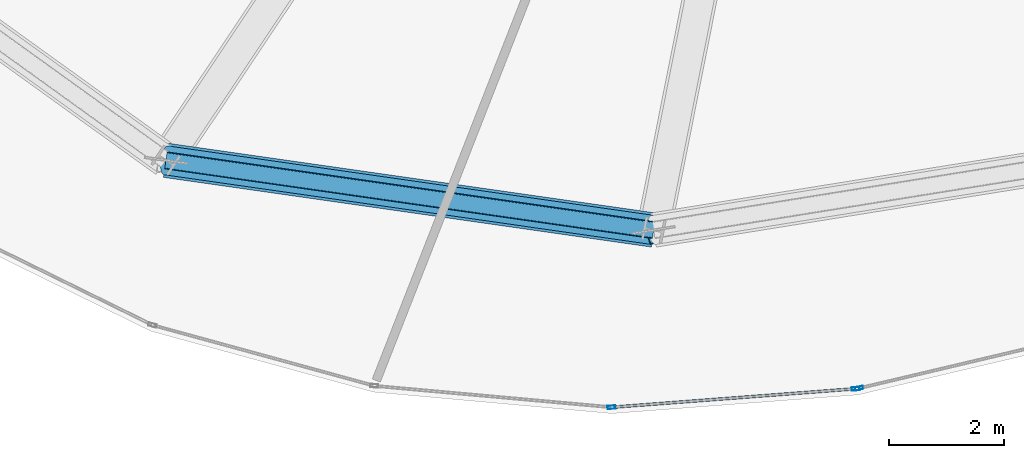
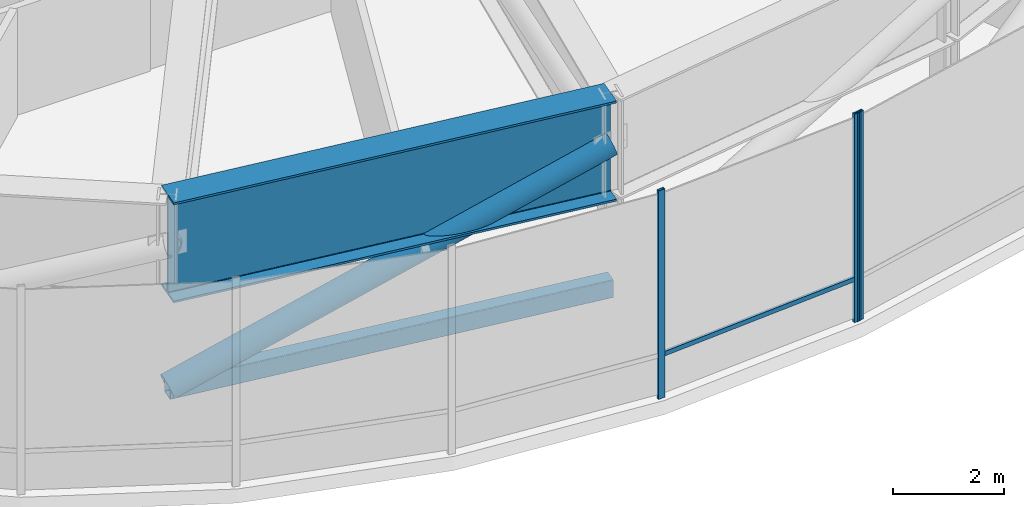
# One storey, part 6 of 30: 6 members, 1 beam, 2 elements without a shape of their own.
"""IFC4 building model written with IfcOpenShell, lengths in metres."""

from ifc_helpers import new_model, si_unit, direction, frame, origin, origin_2d, place, context, subcontext, project, spatial, hollow_rectangle, hollow_circle, i_section, extrude, source, transform, mapped, material, layer, layer_set, material_profile, profile_set, type_object, element, aggregate, save


model = new_model("IFC4")

# Units and contexts
model_context = context("Model", 3, precision=1e-05, world=origin(), true_north=direction((0.0, 1.0)))
body_context = subcontext(model_context, "Body", "Model", "MODEL_VIEW")
ifc_project = project(units=[si_unit("LENGTHUNIT", "METRE"), si_unit("AREAUNIT", "SQUARE_METRE"), si_unit("VOLUMEUNIT", "CUBIC_METRE"), si_unit("PLANEANGLEUNIT", "RADIAN"), si_unit("MASSUNIT", "GRAM", prefix="KILO"), si_unit("THERMODYNAMICTEMPERATUREUNIT", "KELVIN")], contexts=[model_context])

# Site, building, storey
site_placement = place(None, origin())
site = spatial("IfcSite", under=ifc_project, at=site_placement, CompositionType="ELEMENT")
building_placement = place(site_placement, origin())
building = spatial("IfcBuilding", under=site, at=building_placement, Name="Kethvar Cultural Tower", CompositionType="ELEMENT")
storey_placement = place(building_placement, frame((0.0, 0.0, 171.39990234375)))
storey = spatial("IfcBuildingStorey", under=building, at=storey_placement, Name="L44", CompositionType="ELEMENT", Elevation=171.39990234375)

# Beam
ifc_material_1 = material(Name="Steel S460M", Category="steel")
ifc_material_profile_1 = material_profile(ifc_material_1, i_section(OverallWidth=0.60009765625, OverallDepth=2.199951171875, WebThickness=0.028076171875, FlangeThickness=0.044921875, FilletRadius=0.02197265625, at=origin_2d()), Name="Steel S460M — PG2200x600x45x28")
ifc_profile_set_1 = profile_set([ifc_material_profile_1], Name="Steel S460M — PG2200x600x45x28")
beam_type = type_object("IfcBeamType", Name="BM-TR2200", PredefinedType="BEAM", material=ifc_profile_set_1)
shared_shape_1 = source(origin(), body_context, "Body", "SweptSolid", [
    extrude(i_section(OverallWidth=0.60009765625, OverallDepth=2.199951171875, WebThickness=0.028076171875, FlangeThickness=0.044921875, FilletRadius=0.02197265625, at=origin_2d()), origin(), (0.0, 0.0, 1.0), 8.587890625),
])
beam_placement = place(storey_placement, frame((34.350830078125, 9.16845703125, 3.47802734375), z_axis=(0.989943807123, -0.141461156288, 0.0), x_axis=(0.141461156288, 0.989943807123, 0.0)))
element("IfcBeam", 1, at=beam_placement, inside=storey, type_object=beam_type, Name="L44 Ring Belt Girder BG-11", PredefinedType="BEAM", context=body_context, shape_type="MappedRepresentation", body=[
    mapped(shared_shape_1, transform((0.0, 0.0, 0.0), scale=1.0)),
])

# Members
ifc_material_profile_2 = material_profile(ifc_material_1, hollow_rectangle(XDim=0.300048828125, YDim=0.39990234375, WallThickness=0.01611328125, InnerFilletRadius=0.01611328125, OuterFilletRadius=0.031982421875, at=origin_2d()), Name="Steel S460M — RHS400x300x16")
ifc_profile_set_2 = profile_set([ifc_material_profile_2], Name="Steel S460M — RHS400x300x16")
member_type_1 = type_object("IfcMemberType", Name="MB-CHD-400", PredefinedType="CHORD", material=ifc_profile_set_2)
shared_shape_2 = source(origin(), body_context, "Body", "SweptSolid", [
    extrude(hollow_rectangle(XDim=0.300048828125, YDim=0.39990234375, WallThickness=0.01611328125, InnerFilletRadius=0.01611328125, OuterFilletRadius=0.031982421875, at=origin_2d()), origin(), (0.0, 0.0, 1.0), 8.587890625),
])
member_1_placement = place(storey_placement, frame((34.350830078125, 9.16845703125, 0.35009765625), z_axis=(0.989943807123, -0.141461156288, 0.0), x_axis=(0.141461156288, 0.989943807123, 0.0)))
element("IfcMember", 2, at=member_1_placement, inside=storey, type_object=member_type_1, Name="L44 Ring Belt Bottom Chord BC-11", PredefinedType="CHORD", context=body_context, shape_type="MappedRepresentation", body=[
    mapped(shared_shape_2, transform((0.0, 0.0, 0.0), scale=1.0)),
])
ifc_material_profile_3 = material_profile(ifc_material_1, hollow_circle(Radius=0.25390625, WallThickness=0.02001953125, at=origin_2d()), Name="Steel S460M — CHS508x20")
ifc_profile_set_3 = profile_set([ifc_material_profile_3], Name="Steel S460M — CHS508x20")
member_type_2 = type_object("IfcMemberType", Name="MB-OUT-508", PredefinedType="BRACE", material=ifc_profile_set_3)
shared_shape_3 = source(origin(), body_context, "Body", "SweptSolid", [
    extrude(hollow_circle(Radius=0.25390625, WallThickness=0.02001953125, at=origin_2d()), origin(), (0.0, 0.0, 1.0), 9.1396484375),
])
member_2_placement = place(storey_placement, frame((34.350830078125, 9.16845703125, 0.35009765625), z_axis=(0.930165698928, -0.13291897415, 0.342234304022), x_axis=(0.141461156288, 0.989943807123, 0.0)))
element("IfcMember", 3, at=member_2_placement, inside=storey, type_object=member_type_2, Name="L44 Ring Belt Diagonal BD-11", PredefinedType="BRACE", context=body_context, shape_type="MappedRepresentation", body=[
    mapped(shared_shape_3, transform((0.0, 0.0, 0.0), scale=1.0)),
])

# Curtain wall, members
ifc_material_2 = material(Name="Aluminium 6063-T6", Category="aluminium")
ifc_layer = layer(ifc_material_2, 0.179931640625, Name="Aluminium 6063-T6", Category="aluminium")
ifc_layer_set = layer_set([ifc_layer], Name="Aluminium 6063-T6 (180 mm)")
curtain_wall_type = type_object("IfcCurtainWallType", Name="CW-SYS-04-Z34", PredefinedType="NOTDEFINED", material=ifc_layer_set)
curtain_wall_1_placement = place(storey_placement, origin())
curtain_wall_1 = element("IfcCurtainWall", 4, at=curtain_wall_1_placement, inside=storey, type_object=curtain_wall_type, Name="L44 Curtain Wall Run 04", PredefinedType="NOTDEFINED")
ifc_material_profile_4 = material_profile(ifc_material_2, hollow_rectangle(XDim=0.06005859375, YDim=0.139892578125, WallThickness=0.0048828125, at=origin_2d()), Name="Aluminium 6063-T6 — RHS140x60x5")
ifc_profile_set_4 = profile_set([ifc_material_profile_4], Name="Aluminium 6063-T6 — RHS140x60x5")
member_type_3 = type_object("IfcMemberType", Name="CW-SYS-04-Z34-MUL", PredefinedType="MULLION", material=ifc_profile_set_4)
shared_shape_4 = source(origin(), body_context, "Body", "SweptSolid", [
    extrude(hollow_rectangle(XDim=0.06005859375, YDim=0.139892578125, WallThickness=0.0048828125, at=origin_2d()), origin(), (0.0, 0.0, 1.0), 4.580078125),
])
member_3_placement = place(storey_placement, frame((42.11669921875, 4.8642578125, 0.0), z_axis=(0.0, 0.0, 1.0), x_axis=(-0.075744487851, 0.997127259962, 0.0)))
member_3 = element("IfcMember", 5, at=member_3_placement, type_object=member_type_3, Name="CW-L44-R04 Mullion 6", PredefinedType="MULLION", context=body_context, shape_type="MappedRepresentation", body=[
    mapped(shared_shape_4, transform((0.0, 0.0, 0.0), scale=1.0)),
])
member_4_placement = place(storey_placement, frame((46.37353515625, 5.1875, 0.0), z_axis=(0.0, 0.0, 1.0), x_axis=(-0.075744487851, 0.997127259962, 0.0)))
member_4 = element("IfcMember", 6, at=member_4_placement, type_object=member_type_3, Name="CW-L44-R04 Mullion 7", PredefinedType="MULLION", context=body_context, shape_type="MappedRepresentation", body=[
    mapped(shared_shape_4, transform((0.0, 0.0, 0.0), scale=1.0)),
])

# Curtain wall, member
curtain_wall_2_placement = place(storey_placement, origin())
curtain_wall_2 = element("IfcCurtainWall", 7, at=curtain_wall_2_placement, inside=storey, type_object=curtain_wall_type, Name="L44 Curtain Wall Run 05", PredefinedType="NOTDEFINED")
member_5_placement = place(storey_placement, frame((46.43359375, 5.19677734375, 0.0), z_axis=(0.0, 0.0, 1.0), x_axis=(-0.229710019669, 0.973259115993, 0.0)))
member_5 = element("IfcMember", 8, at=member_5_placement, type_object=member_type_3, Name="CW-L44-R05 Mullion 1", PredefinedType="MULLION", context=body_context, shape_type="MappedRepresentation", body=[
    mapped(shared_shape_4, transform((0.0, 0.0, 0.0), scale=1.0)),
])
aggregate(curtain_wall_2, [member_5])

# Member
ifc_material_profile_5 = material_profile(ifc_material_2, hollow_rectangle(XDim=0.050048828125, YDim=0.10009765625, WallThickness=0.00390625, at=origin_2d()), Name="Aluminium 6063-T6 — RHS100x50x4")
ifc_profile_set_5 = profile_set([ifc_material_profile_5], Name="Aluminium 6063-T6 — RHS100x50x4")
member_type_4 = type_object("IfcMemberType", Name="CW-SYS-04-Z34-TRN", PredefinedType="USERDEFINED", material=ifc_profile_set_5)
shared_shape_5 = source(origin(), body_context, "Body", "SweptSolid", [
    extrude(hollow_rectangle(XDim=0.050048828125, YDim=0.10009765625, WallThickness=0.00390625, at=origin_2d()), origin(), (0.0, 0.0, 1.0), 4.221923828125),
])
member_6_placement = place(storey_placement, frame((42.15966796875, 4.867431640625, 0.9501953125), z_axis=(0.997126495548, 0.075754550204, 0.0), x_axis=(-0.075754550204, 0.997126495548, 0.0)))
member_6 = element("IfcMember", 9, at=member_6_placement, type_object=member_type_4, Name="CW-L44-R04 Transom 6", ObjectType="TRANSOM", PredefinedType="USERDEFINED", context=body_context, shape_type="MappedRepresentation", body=[
    mapped(shared_shape_5, transform((0.0, 0.0, 0.0), scale=1.0)),
])

aggregate(curtain_wall_1, [member_3, member_4, member_6])

save(model, "model.ifc")
